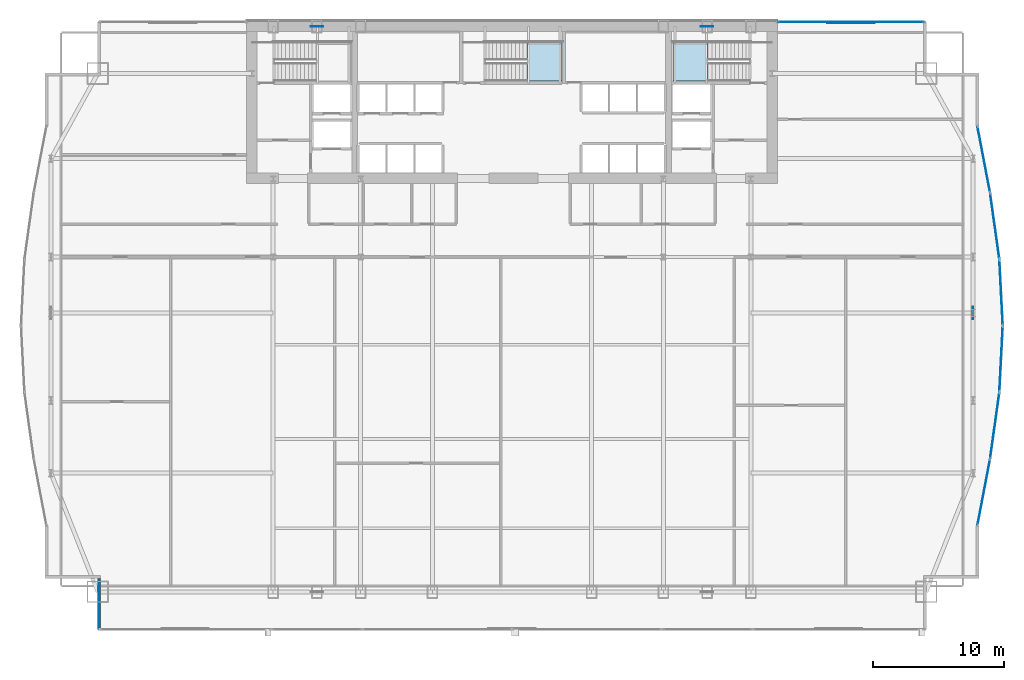
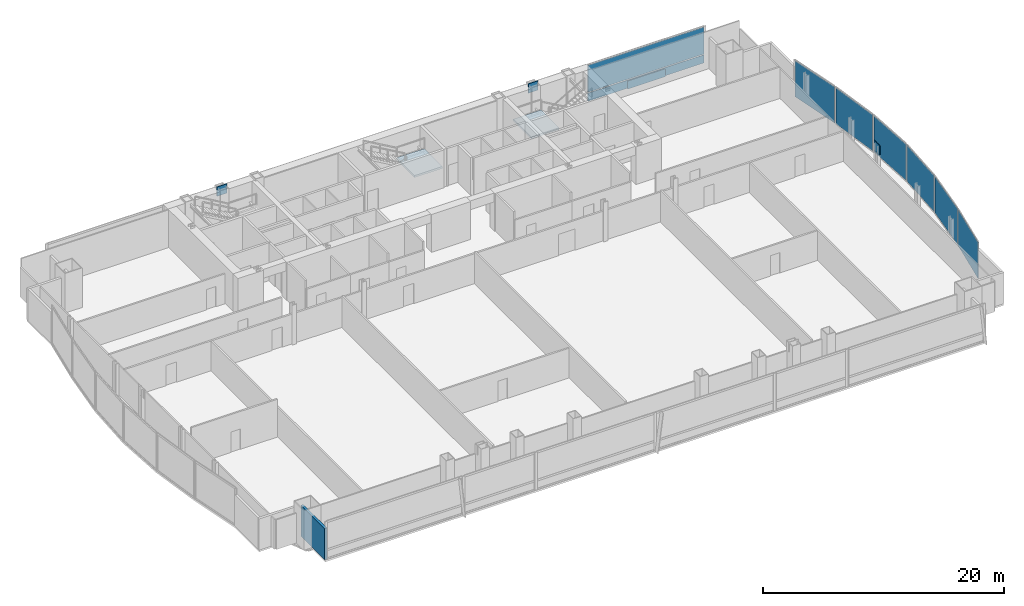
# One storey, part 29 of 37: 12 plates, 2 slabs, 1 wall, 9 elements without a shape of their own.
"""IFC4 building model written with IfcOpenShell, lengths in metres."""

from ifc_helpers import new_model, si_unit, direction, frame, frame_2d, origin, origin_2d, place, context, subcontext, project, spatial, polyline, rectangle, outline, extrude, material, layer, layer_set, type_object, element, aggregate, save


model = new_model("IFC4")

# Units and contexts
model_context = context("Model", 3, precision=1e-05, world=origin(), true_north=direction((0.0, 1.0)))
body_context = subcontext(model_context, "Body", "Model", "MODEL_VIEW")
ifc_project = project(units=[si_unit("LENGTHUNIT", "METRE"), si_unit("AREAUNIT", "SQUARE_METRE"), si_unit("VOLUMEUNIT", "CUBIC_METRE"), si_unit("PLANEANGLEUNIT", "RADIAN"), si_unit("MASSUNIT", "GRAM", prefix="KILO")], contexts=[model_context])

# Site, building, storey
site_placement = place(None, origin())
site = spatial("IfcSite", under=ifc_project, at=site_placement, CompositionType="ELEMENT")
building_placement = place(site_placement, origin())
building = spatial("IfcBuilding", under=site, at=building_placement, Name="Khoronbel Lancet Exchange", CompositionType="ELEMENT")
storey_placement = place(building_placement, frame((0.0, 0.0, 45.800048828125)))
storey = spatial("IfcBuildingStorey", under=building, at=storey_placement, Name="L10", CompositionType="ELEMENT", Elevation=45.800048828125)

# Curtain wall, plate
ifc_material_1 = material(Name="Low-E Solar Control Insulating Glass", Category="glass")
curtain_wall_type_1 = type_object("IfcCurtainWallType", Name="CW-1", PredefinedType="NOTDEFINED", material=ifc_material_1)
curtain_wall_1_placement = place(storey_placement, origin())
curtain_wall_1 = element("IfcCurtainWall", 1, at=curtain_wall_1_placement, inside=storey, type_object=curtain_wall_type_1, Name="Unitised curtain wall CW-L10-NEFLK", PredefinedType="NOTDEFINED")
ifc_material_2 = material(Name="Bronze-Anodised Aluminium 6063-T6", Category="aluminium")
ifc_layer_1 = layer(ifc_material_2, 0.050048828125, Name="Bronze-Anodised Aluminium 6063-T6")
ifc_layer_set_1 = layer_set([ifc_layer_1], Name="Bronze-Anodised Aluminium 6063-T6")
plate_type_1 = type_object("IfcPlateType", Name="PLT-CSP1", PredefinedType="SHEET", material=ifc_layer_set_1)
plate_1_placement = place(storey_placement, frame((62.320068359375, 53.550048828125, 0.0498046875), z_axis=(0.0, 0.0, 1.0), x_axis=(-1.0, 0.0, 0.0)))
plate_1 = element("IfcPlate", 2, at=plate_1_placement, type_object=plate_type_1, Name="Insulated bronze spandrel cassette CW-L10-NEFLK", PredefinedType="SHEET", context=body_context, shape_type="SweptSolid", body=[
    extrude(rectangle(XDim=3.60009765625, YDim=0.050048828125, at=origin_2d()), origin(), (0.0, 0.0, 1.0), 0.800048828125),
])

curtain_wall_type_2 = type_object("IfcCurtainWallType", Name="CW-4", PredefinedType="NOTDEFINED", material=ifc_material_1)
curtain_wall_2_placement = place(storey_placement, origin())
curtain_wall_2 = element("IfcCurtainWall", 3, at=curtain_wall_2_placement, inside=storey, type_object=curtain_wall_type_2, Name="Unitised curtain wall CW-L10-E18", PredefinedType="NOTDEFINED")
plate_2_placement = place(storey_placement, frame((73.28564453125, 38.0634765625, 0.0849609375), z_axis=(0.0, 0.0, 1.0), x_axis=(0.138340202733, -0.990384767809, 0.0)))
plate_2 = element("IfcPlate", 4, at=plate_2_placement, type_object=plate_type_1, Name="CW4 panel 1.1", PredefinedType="CURTAIN_PANEL", context=body_context, shape_type="SweptSolid", body=[
    extrude(rectangle(XDim=4.9765625, YDim=0.0380859375, at=origin_2d()), origin(), (0.0, 0.0, 1.0), 3.64990234375),
])
aggregate(curtain_wall_2, [plate_2])

curtain_wall_3_placement = place(storey_placement, origin())
curtain_wall_3 = element("IfcCurtainWall", 5, at=curtain_wall_3_placement, inside=storey, type_object=curtain_wall_type_2, Name="Unitised curtain wall CW-L10-E19", PredefinedType="NOTDEFINED")
plate_3_placement = place(storey_placement, frame((73.77001953125, 32.9873046875, 0.0849609375), z_axis=(0.0, 0.0, 1.0), x_axis=(0.051068297252, -0.998695163208, 0.0)))
plate_3 = element("IfcPlate", 6, at=plate_3_placement, type_object=plate_type_1, Name="CW4 panel 1.1", PredefinedType="CURTAIN_PANEL", context=body_context, shape_type="SweptSolid", body=[
    extrude(rectangle(XDim=4.931396484375, YDim=0.0380859375, at=origin_2d()), origin(), (0.0, 0.0, 1.0), 3.64990234375),
])
aggregate(curtain_wall_3, [plate_3])

curtain_wall_4_placement = place(storey_placement, origin())
curtain_wall_4 = element("IfcCurtainWall", 7, at=curtain_wall_4_placement, inside=storey, type_object=curtain_wall_type_2, Name="Unitised curtain wall CW-L10-E20", PredefinedType="NOTDEFINED")
plate_4_placement = place(storey_placement, frame((73.77001953125, 27.91259765625, 0.0849609375), z_axis=(0.0, 0.0, 1.0), x_axis=(-0.051068297252, -0.998695163208, 0.0)))
plate_4 = element("IfcPlate", 8, at=plate_4_placement, type_object=plate_type_1, Name="CW4 panel 1.1", PredefinedType="CURTAIN_PANEL", context=body_context, shape_type="SweptSolid", body=[
    extrude(rectangle(XDim=4.931396484375, YDim=0.0380859375, at=origin_2d()), origin(), (0.0, 0.0, 1.0), 3.64990234375),
])
aggregate(curtain_wall_4, [plate_4])

curtain_wall_5_placement = place(storey_placement, origin())
curtain_wall_5 = element("IfcCurtainWall", 9, at=curtain_wall_5_placement, inside=storey, type_object=curtain_wall_type_2, Name="Unitised curtain wall CW-L10-E21", PredefinedType="NOTDEFINED")
plate_5_placement = place(storey_placement, frame((73.28564453125, 22.836669921875, 0.0849609375), z_axis=(0.0, 0.0, 1.0), x_axis=(-0.138340202733, -0.990384767809, 0.0)))
plate_5 = element("IfcPlate", 10, at=plate_5_placement, type_object=plate_type_1, Name="CW4 panel 1.1", PredefinedType="CURTAIN_PANEL", context=body_context, shape_type="SweptSolid", body=[
    extrude(rectangle(XDim=4.9765625, YDim=0.0380859375, at=origin_2d()), origin(), (0.0, 0.0, 1.0), 3.64990234375),
])
aggregate(curtain_wall_5, [plate_5])

# Plate
ifc_layer_2 = layer(ifc_material_1, 0.035888671875, Name="Low-E Solar Control Insulating Glass")
ifc_layer_set_2 = layer_set([ifc_layer_2], Name="Low-E Solar Control Insulating Glass")
plate_type_2 = type_object("IfcPlateType", Name="PLT-CWP1", PredefinedType="CURTAIN_PANEL", material=ifc_layer_set_2)
plate_6_placement = place(storey_placement, frame((62.320068359375, 53.610107421875, 0.0849609375), z_axis=(0.0, 0.0, 1.0), x_axis=(-1.0, 0.0, 0.0)))
plate_6 = element("IfcPlate", 11, at=plate_6_placement, type_object=plate_type_2, Name="CW1 panel 1.1", PredefinedType="CURTAIN_PANEL", context=body_context, shape_type="SweptSolid", body=[
    extrude(rectangle(XDim=11.110107421875, YDim=0.0380859375, at=origin_2d()), origin(), (0.0, 0.0, 1.0), 0.822509765625),
])

plate_7_placement = place(storey_placement, frame((62.320068359375, 53.610107421875, 0.99267578125), z_axis=(0.0, 0.0, 1.0), x_axis=(-1.0, 0.0, 0.0)))
plate_7 = element("IfcPlate", 12, at=plate_7_placement, type_object=plate_type_2, Name="CW1 panel 1.2", PredefinedType="CURTAIN_PANEL", context=body_context, shape_type="SweptSolid", body=[
    extrude(rectangle(XDim=11.110107421875, YDim=0.0380859375, at=origin_2d()), origin(), (0.0, 0.0, 1.0), 2.742431640625),
])

aggregate(curtain_wall_1, [plate_6, plate_7, plate_1])

# Curtain wall, plate
curtain_wall_6_placement = place(storey_placement, origin())
curtain_wall_6 = element("IfcCurtainWall", 13, at=curtain_wall_6_placement, inside=storey, type_object=curtain_wall_type_2, Name="Unitised curtain wall CW-L10-E17", PredefinedType="NOTDEFINED")
ifc_material_3 = material(Name="Ceramic-Fritted Laminated Insulating Glass", Category="glass")
ifc_layer_3 = layer(ifc_material_3, 0.0419921875, Name="Ceramic-Fritted Laminated Insulating Glass")
ifc_layer_set_3 = layer_set([ifc_layer_3], Name="Ceramic-Fritted Laminated Insulating Glass")
plate_type_3 = type_object("IfcPlateType", Name="PLT-CWP2", PredefinedType="CURTAIN_PANEL", material=ifc_layer_set_3)
plate_8_placement = place(storey_placement, frame((72.445556640625, 43.146728515625, 0.0849609375), z_axis=(0.0, 0.0, 1.0), x_axis=(0.187423391996, -0.982279223099, 0.0)))
plate_8 = element("IfcPlate", 14, at=plate_8_placement, type_object=plate_type_3, Name="CW4 panel 1.1", PredefinedType="CURTAIN_PANEL", context=body_context, shape_type="SweptSolid", body=[
    extrude(rectangle(XDim=5.03125, YDim=0.0380859375, at=origin_2d()), origin(), (0.0, 0.0, 1.0), 3.64990234375),
])
aggregate(curtain_wall_6, [plate_8])

curtain_wall_7_placement = place(storey_placement, origin())
curtain_wall_7 = element("IfcCurtainWall", 15, at=curtain_wall_7_placement, inside=storey, type_object=curtain_wall_type_2, Name="Unitised curtain wall CW-L10-E22", PredefinedType="NOTDEFINED")
plate_9_placement = place(storey_placement, frame((72.445556640625, 17.753173828125, 0.0849609375), z_axis=(0.0, 0.0, 1.0), x_axis=(-0.187423391996, -0.982279223099, 0.0)))
plate_9 = element("IfcPlate", 16, at=plate_9_placement, type_object=plate_type_3, Name="CW4 panel 1.1", PredefinedType="CURTAIN_PANEL", context=body_context, shape_type="SweptSolid", body=[
    extrude(rectangle(XDim=5.03125, YDim=0.0380859375, at=origin_2d()), origin(), (0.0, 0.0, 1.0), 3.64990234375),
])
aggregate(curtain_wall_7, [plate_9])

# Plates
ifc_material_4 = material(Name="Steel S460", Category="steel")
ifc_layer_4 = layer(ifc_material_4, 0.06005859375, Name="Steel S460")
ifc_layer_set_4 = layer_set([ifc_layer_4], Name="Steel S460")
plate_type_4 = type_object("IfcPlateType", Name="PLT-ND1", PredefinedType="USERDEFINED", material=ifc_layer_set_4)
for number, where, z_axis, x_axis, name in (
    (17, (21.5625, 53.280029296875, 3.1748046875), (0.0, 0.0, 1.0), (1.0, 0.0, 0.0), "ND1 perimeter brace node gusset T02-N-W"),
    (18, (51.33740234375, 53.280029296875, 3.1748046875), (0.0, 0.0, 1.0), (1.0, 0.0, 0.0), "ND1 perimeter brace node gusset T02-N-E"),
    (19, (71.6298828125, 31.425048828125, 3.1748046875), (0.0, 0.0, 1.0), (0.0, 1.0, 0.0), "ND1 perimeter brace node gusset T02-E-P"),
):
    element("IfcPlate", number, at=place(storey_placement, frame(where, z_axis=z_axis, x_axis=x_axis)), inside=storey, type_object=plate_type_4, Name=name, ObjectType="GUSSET_PLATE", PredefinedType="USERDEFINED", context=body_context, shape_type="SweptSolid", body=[
        extrude(rectangle(XDim=0.949951171875, YDim=0.06005859375, at=origin_2d()), origin(), (0.0, 0.0, 1.0), 0.949951171875),
    ])

# Stair, slab
ifc_material_5 = material(Name="Concrete C40/50", Category="concrete")
stair_type = type_object("IfcStairType", Name="STR-CORE150", PredefinedType="HALF_TURN_STAIR", material=ifc_material_5)
stair_1_placement = place(storey_placement, origin())
stair_1 = element("IfcStair", 20, at=stair_1_placement, inside=storey, type_object=stair_type, Name="L10 Protected Exit Stair ST2", PredefinedType="HALF_TURN_STAIR")
ifc_layer_5 = layer(ifc_material_5, 0.199951171875, Name="Concrete C40/50")
ifc_layer_set_5 = layer_set([ifc_layer_5], Name="Concrete C40/50")
slab_type = type_object("IfcSlabType", Name="SL-LND180", PredefinedType="LANDING", material=ifc_layer_set_5)
slab_1_placement = place(storey_placement, frame((0.0, 0.0, 1.800048828125)))
slab_1 = element("IfcSlab", 21, at=slab_1_placement, type_object=slab_type, Name="ST2 landing 1", PredefinedType="LANDING", context=body_context, shape_type="SweptSolid", body=[
    extrude(outline(polyline([(51.409912109375, 52.10009765625), (48.75, 52.10009765625), (48.75, 49.1201171875), (51.409912109375, 49.1201171875), (51.409912109375, 52.10009765625)])), origin(), (0.0, 0.0, 1.0), 0.199951171875),
])
aggregate(stair_1, [slab_1])

stair_2_placement = place(storey_placement, origin())
stair_2 = element("IfcStair", 22, at=stair_2_placement, inside=storey, type_object=stair_type, Name="L10 Protected Exit Stair ST3", PredefinedType="HALF_TURN_STAIR")
slab_2_placement = place(storey_placement, frame((0.0, 0.0, 1.800048828125)))
slab_2 = element("IfcSlab", 23, at=slab_2_placement, type_object=slab_type, Name="ST3 landing 1", PredefinedType="LANDING", context=body_context, shape_type="SweptSolid", body=[
    extrude(outline(polyline([(37.590087890625, 49.1201171875), (40.25, 49.1201171875), (40.25, 52.10009765625), (37.590087890625, 52.10009765625), (37.590087890625, 49.1201171875)])), origin(), (0.0, 0.0, 1.0), 0.199951171875),
])
aggregate(stair_2, [slab_2])

# Wall
ifc_material_6 = material(Name="Precast concrete C40/50", Category="concrete")
ifc_layer_6 = layer(ifc_material_6, 0.25, Name="Precast concrete C40/50")
ifc_layer_set_6 = layer_set([ifc_layer_6], Name="Precast concrete C40/50")
wall_type = type_object("IfcWallType", Name="WL-EXT250", PredefinedType="SOLIDWALL", material=ifc_layer_set_6)
wall_placement = place(storey_placement, frame((4.93994140625, 7.27001953125, 0.0), z_axis=(0.0, 0.0, 1.0), x_axis=(0.0, 1.0, 0.0)))
element("IfcWall", 24, at=wall_placement, inside=storey, type_object=wall_type, Name="Level L10 notched-corner limestone pier 01", PredefinedType="SOLIDWALL", context=body_context, shape_type="SweptSolid", body=[
    extrude(rectangle(XDim=3.909912109375, YDim=0.219970703125, at=frame_2d((1.955078125, 0.0))), origin(), (0.0, 0.0, 1.0), 3.159912109375),
])

save(model, "model.ifc")
